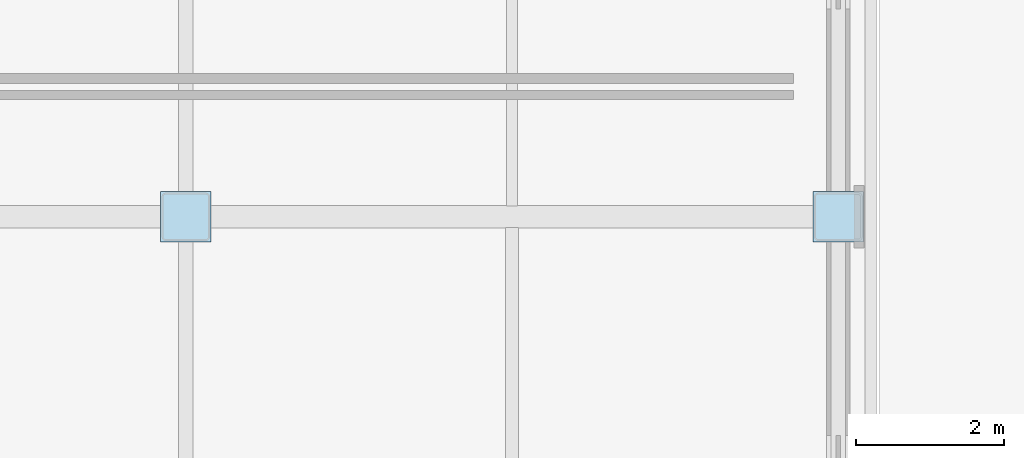
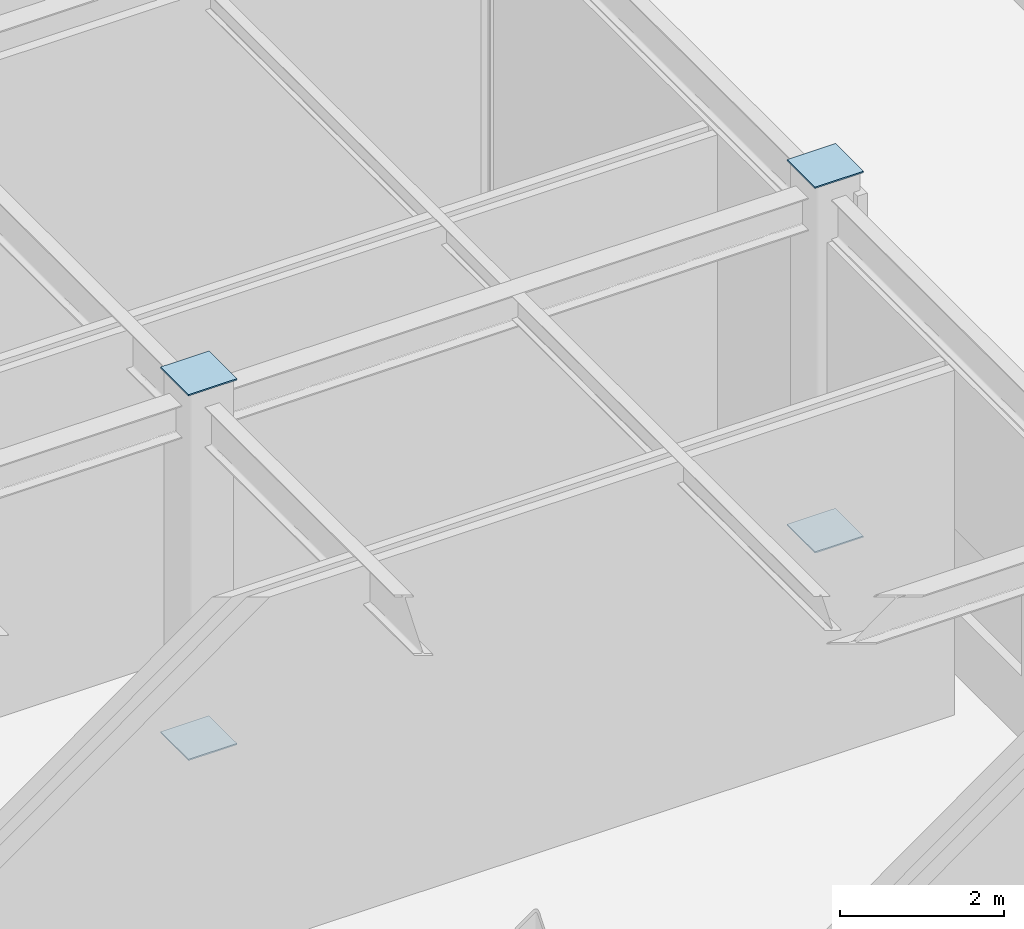
# One storey, part 81 of 119: 4 plates.
"""IFC4 building model written with IfcOpenShell, lengths in metres."""

import ifcopenshell
import ifcopenshell.guid

model = None  # the IFC model being written
_history = None  # IfcOwnerHistory: only IFC2X3 demands one
_inside = {}  # id of a spatial element -> (the spatial element, [elements in it])
_under = {}  # id of a project, library or spatial element -> (it, [spatial elements below it])
_declared = {}  # id of a project -> (the project, [libraries it declares])
_typed = {}  # id of a type object -> (the type object, [elements of that type])
_made_of = {}  # id of a material, layer set ... -> (it, [elements and type objects made of it])


def new_model(schema):
    """Start an empty IFC model of exactly this schema.

    Asked for "IFC4X3", IfcOpenShell would pick the latest addendum, in which some entities
    have other attributes; the version numbers below select the first issue.
    IFC2X3 requires an IfcOwnerHistory on every rooted entity: one is made here for all.
    """
    global model, _history
    if schema == "IFC4X3":
        model = ifcopenshell.file(schema_version=(4, 3, 0, 0))
    else:
        model = ifcopenshell.file(schema=schema)
    _inside.clear()
    _under.clear()
    _declared.clear()
    _typed.clear()
    _made_of.clear()
    _history = None
    if model.schema == "IFC2X3":
        org = make("IfcOrganization", Name="unknown")
        user = make(
            "IfcPersonAndOrganization",
            ThePerson=make("IfcPerson", FamilyName="unknown"),
            TheOrganization=org,
        )
        app = make(
            "IfcApplication",
            ApplicationDeveloper=org,
            Version="unknown",
            ApplicationFullName="unknown",
            ApplicationIdentifier="unknown",
        )
        _history = make(
            "IfcOwnerHistory",
            OwningUser=user,
            OwningApplication=app,
            ChangeAction="ADDED",
            CreationDate=0,
        )
    return model


def make(cls, **values):
    """One entity of the class cls with the attributes given. An attribute that is None is left unset."""
    return model.create_entity(
        cls, **{name: value for name, value in values.items() if value is not None}
    )


def rooted(cls, **values):
    """An entity with a GlobalId (a new one), such as an element, a storey or a relation."""
    return make(cls, GlobalId=ifcopenshell.guid.new(), OwnerHistory=_history, **values)


def si_unit(unit_type, name, prefix=None):
    """IfcSIUnit, for example si_unit("LENGTHUNIT", "METRE", prefix="MILLI")."""
    return make("IfcSIUnit", UnitType=unit_type, Prefix=prefix, Name=name)


def assignment(units):
    """IfcUnitAssignment: the units of a project."""
    return None if units is None else make("IfcUnitAssignment", Units=units)


def point(xyz):
    """IfcCartesianPoint."""
    return None if xyz is None else make("IfcCartesianPoint", Coordinates=xyz)


def direction(xyz):
    """IfcDirection."""
    return None if xyz is None else make("IfcDirection", DirectionRatios=xyz)


def frame(location, z_axis=None, x_axis=None):
    """IfcAxis2Placement3D, a coordinate frame: its origin and axes. An axis left out is left unset."""
    return make(
        "IfcAxis2Placement3D",
        Location=point(location),
        Axis=direction(z_axis),
        RefDirection=direction(x_axis),
    )


def frame_2d(location, x_axis=None):
    """IfcAxis2Placement2D, a coordinate frame in the plane: its origin and x axis."""
    return make(
        "IfcAxis2Placement2D", Location=point(location), RefDirection=direction(x_axis)
    )


def origin():
    """The frame at (0, 0, 0) with its axes left unset."""
    return frame((0.0, 0.0, 0.0))


def origin_2d():
    """The frame at (0, 0) in the plane with its x axis left unset."""
    return frame_2d((0.0, 0.0))


def place(relative_to, where):
    """IfcLocalPlacement: puts the frame where relative to a parent placement (None: the world)."""
    return make(
        "IfcLocalPlacement", PlacementRelTo=relative_to, RelativePlacement=where
    )


def context(
    kind, dimensions, precision=None, world=None, true_north=None, identifier=None
):
    """IfcGeometricRepresentationContext, for example the 3D "Model" context."""
    return make(
        "IfcGeometricRepresentationContext",
        ContextIdentifier=identifier,
        ContextType=kind,
        CoordinateSpaceDimension=dimensions,
        Precision=precision,
        WorldCoordinateSystem=world,
        TrueNorth=true_north,
    )


def subcontext(parent, identifier, kind, view, scale=None):
    """IfcGeometricRepresentationSubContext, for example "Body" below "Model"."""
    return make(
        "IfcGeometricRepresentationSubContext",
        ContextIdentifier=identifier,
        ContextType=kind,
        ParentContext=parent,
        TargetScale=scale,
        TargetView=view,
    )


def project(units=None, contexts=None):
    """IfcProject with its units and contexts."""
    return rooted(
        "IfcProject",
        Name="project",
        RepresentationContexts=contexts,
        UnitsInContext=assignment(units),
    )


def spatial(cls, under=None, at=None, **own):
    """A site, building, storey or space (cls), placed at a placement, below another one or the project."""
    s = rooted(cls, ObjectPlacement=at, **own)
    if under is not None:
        _under.setdefault(under.id(), (under, []))[1].append(s)
    return s


def profile(cls, at=None, kind="AREA", **sizes):
    """A parametric profile (cls). Its sizes go by their IFC names, for example OverallWidth=200.0."""
    return make(cls, ProfileType=kind, Position=at, **sizes)


def rectangle(**sizes):
    """IfcRectangleProfileDef."""
    return profile("IfcRectangleProfileDef", **sizes)


def extrude(swept, where, along, depth):
    """IfcExtrudedAreaSolid: the profile swept, set in the frame where, extruded along a direction by depth."""
    return make(
        "IfcExtrudedAreaSolid",
        SweptArea=swept,
        Position=where,
        ExtrudedDirection=direction(along),
        Depth=depth,
    )


def shape(context_of_items, identifier, shape_type, items):
    """IfcShapeRepresentation: the items that make up one representation, for example the "Body"."""
    return make(
        "IfcShapeRepresentation",
        ContextOfItems=context_of_items,
        RepresentationIdentifier=identifier,
        RepresentationType=shape_type,
        Items=items,
    )


def material(Name=None, Category=None):
    """IfcMaterial."""
    return make("IfcMaterial", Name=Name, Category=Category)


def layer(
    of_material, thickness, ventilated=None, Name=None, Category=None, Priority=None
):
    """IfcMaterialLayer: one layer of a wall or slab, of a material (None: an air gap)."""
    return make(
        "IfcMaterialLayer",
        Material=of_material,
        LayerThickness=thickness,
        IsVentilated=ventilated,
        Name=Name,
        Category=Category,
        Priority=Priority,
    )


def layer_set(layers, Name=None):
    """IfcMaterialLayerSet."""
    return make("IfcMaterialLayerSet", MaterialLayers=layers, LayerSetName=Name)


def made_of(thing, what):
    """Note that an element or type object is made of a material, layer set ...; save() writes the relation."""
    if what is not None:
        _made_of.setdefault(what.id(), (what, []))[1].append(thing)
    return thing


def type_object(cls, material=None, **own):
    """A type object (cls), such as IfcWallType, which elements share."""
    return made_of(rooted(cls, **own), material)


def element(
    cls,
    number,
    at=None,
    inside=None,
    cuts=None,
    type_object=None,
    material=None,
    context=None,
    identifier="Body",
    shape_type=None,
    held_by="IfcProductDefinitionShape",
    body=None,
    shapes=None,
    **own,
):
    """One element of the class cls, such as IfcWall. Its Tag is "e" and its number.

    at: its placement. inside: the storey or other place that contains it. cuts: it is an
    opening in that element (IfcRelVoidsElement). A single representation is given by context,
    identifier, shape_type and body (its items); several are given by shapes. held_by: the class
    of the entity that holds the representations. save() writes the other relations.
    """
    e = rooted(cls, Tag="e%d" % number, ObjectPlacement=at, **own)
    if body is not None:
        shapes = [shape(context, identifier, shape_type, body)]
    if shapes is not None:
        e.Representation = make(held_by, Representations=shapes)
    if inside is not None:
        _inside.setdefault(inside.id(), (inside, []))[1].append(e)
    if cuts is not None:
        rooted(
            "IfcRelVoidsElement", RelatingBuildingElement=cuts, RelatedOpeningElement=e
        )
    if type_object is not None:
        _typed.setdefault(type_object.id(), (type_object, []))[1].append(e)
    return made_of(e, material)


def aggregate(whole, parts):
    """IfcRelAggregates: a whole, such as a stair, and the parts it consists of."""
    return rooted("IfcRelAggregates", RelatingObject=whole, RelatedObjects=parts)


def save(model, path):
    """Write the relations noted so far, then the file.

    IfcRelAggregates (storeys below a building ...), IfcRelContainedInSpatialStructure (elements
    in a storey), IfcRelDefinesByType, IfcRelAssociatesMaterial and IfcRelDeclares: one each for
    every whole, place, type object, material and project.
    """
    for whole, parts in _under.values():
        aggregate(whole, parts)
    for where, things in _inside.values():
        rooted(
            "IfcRelContainedInSpatialStructure",
            RelatedElements=things,
            RelatingStructure=where,
        )
    for kind, things in _typed.values():
        rooted("IfcRelDefinesByType", RelatedObjects=things, RelatingType=kind)
    for what, things in _made_of.values():
        rooted("IfcRelAssociatesMaterial", RelatedObjects=things, RelatingMaterial=what)
    for by, libraries in _declared.values():
        rooted("IfcRelDeclares", RelatingContext=by, RelatedDefinitions=libraries)
    model.write(path)


model = new_model("IFC4")

# Units and contexts
model_context = context("Model", 3, precision=1e-05, world=origin(), true_north=direction((0.0, 1.0)))
body_context = subcontext(model_context, "Body", "Model", "MODEL_VIEW")
ifc_project = project(units=[si_unit("LENGTHUNIT", "METRE"), si_unit("AREAUNIT", "SQUARE_METRE"), si_unit("VOLUMEUNIT", "CUBIC_METRE"), si_unit("PLANEANGLEUNIT", "RADIAN"), si_unit("MASSUNIT", "GRAM", prefix="KILO")], contexts=[model_context])

# Site, building, storey
site_placement = place(None, origin())
site = spatial("IfcSite", under=ifc_project, at=site_placement, CompositionType="ELEMENT")
building_placement = place(site_placement, origin())
building = spatial("IfcBuilding", under=site, at=building_placement, Name="Zhaolan Boulevard Law Courts", CompositionType="ELEMENT")
storey_placement = place(building_placement, origin())
storey = spatial("IfcBuildingStorey", under=building, at=storey_placement, Name="L00", CompositionType="ELEMENT", Elevation=0.0)

# Plates
ifc_material = material(Name="Structural steel Q355B", Category="steel")
ifc_layer = layer(ifc_material, 0.02001953125)
ifc_layer_set = layer_set([ifc_layer])
plate_type = type_object("IfcPlateType", Name="END CAP PLATE 20", PredefinedType="SHEET", material=ifc_layer_set)
for number, where, z_axis, x_axis, name in (
    (1, (35.199951171875, 70.0, -0.01806640625), (0.0, 0.0, 1.0), (1.0, 0.0, 0.0), "Hollow Section End-Cap Plate ECP-0467"),
    (2, (35.199951171875, 70.0, 5.39794921875), (0.0, 0.0, 1.0), (1.0, 0.0, 0.0), "Hollow Section End-Cap Plate ECP-0468"),
    (3, (44.0, 70.0, -0.01806640625), (0.0, 0.0, 1.0), (1.0, 0.0, 0.0), "Hollow Section End-Cap Plate ECP-0579"),
    (4, (44.0, 70.0, 5.39794921875), (0.0, 0.0, 1.0), (1.0, 0.0, 0.0), "Hollow Section End-Cap Plate ECP-0580"),
):
    element("IfcPlate", number, at=place(storey_placement, frame(where, z_axis=z_axis, x_axis=x_axis)), inside=storey, type_object=plate_type, Name=name, PredefinedType="SHEET", context=body_context, shape_type="SweptSolid", body=[
        extrude(rectangle(XDim=0.679931640625, YDim=0.679931640625, at=origin_2d()), origin(), (0.0, 0.0, 1.0), 0.02001953125),
    ])

save(model, "model.ifc")
